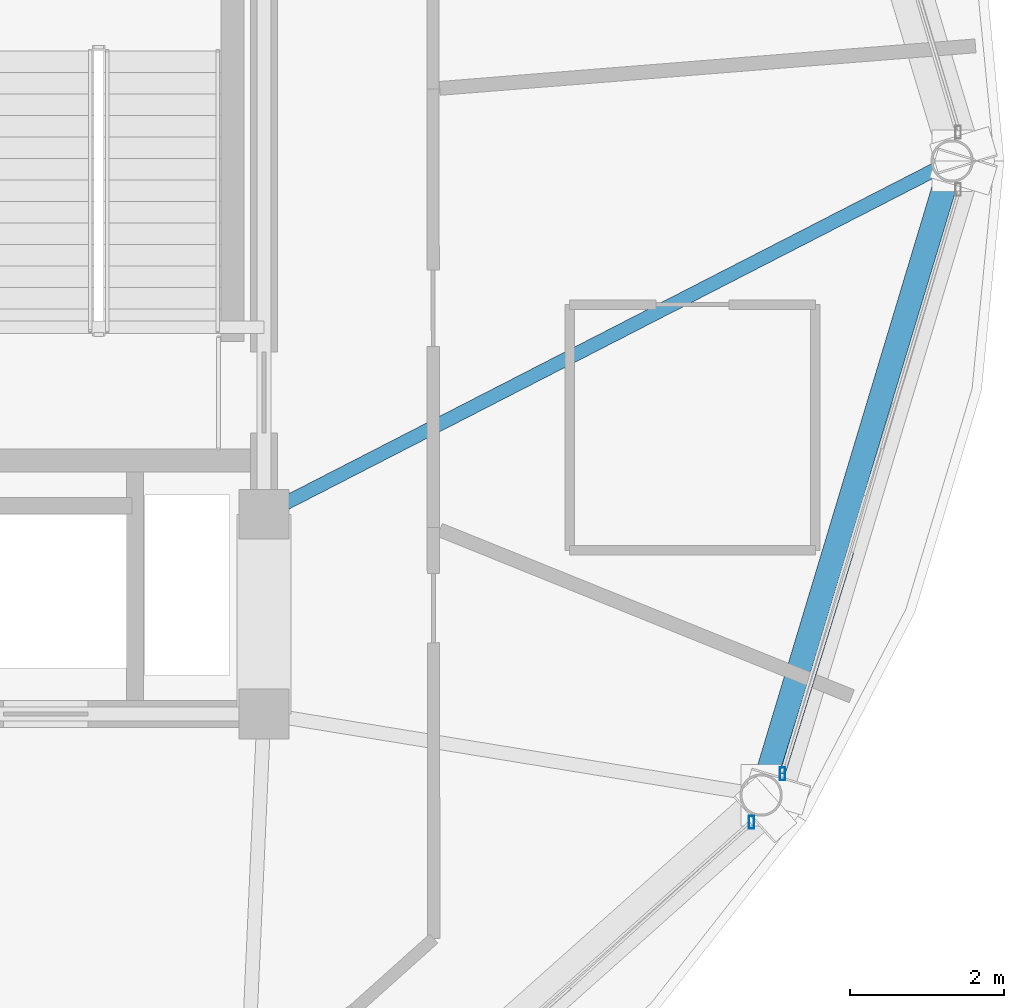
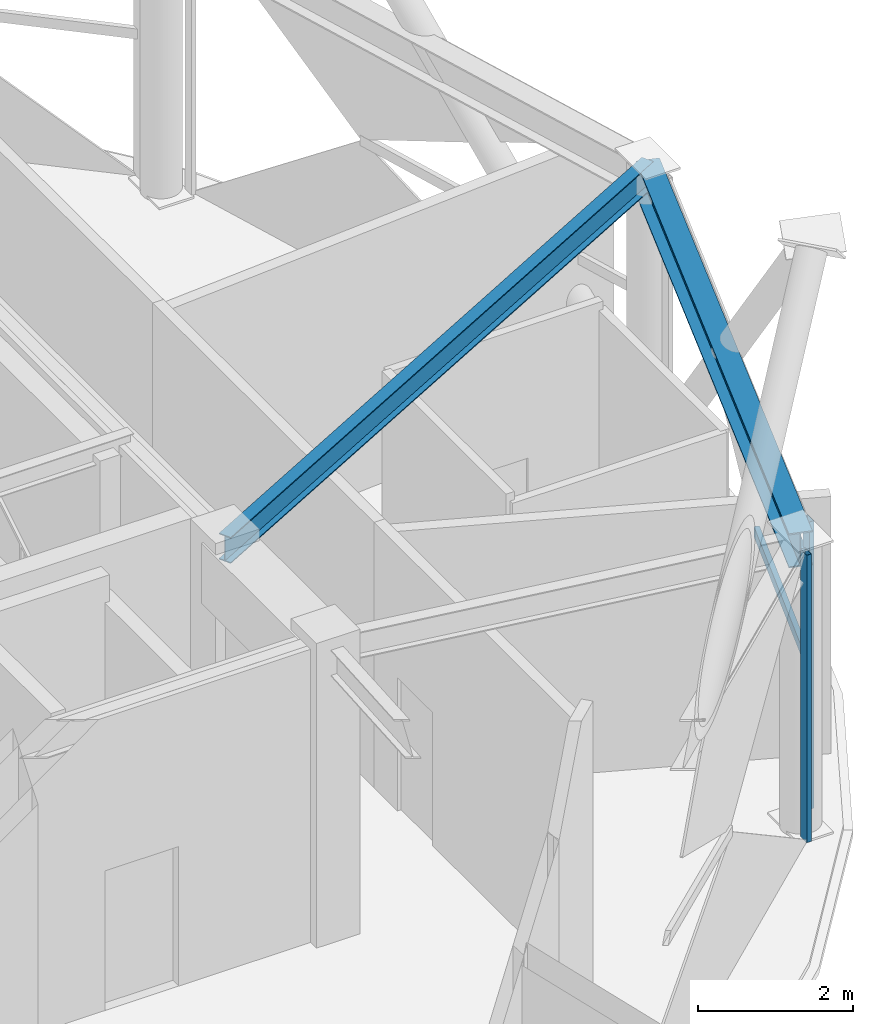
# One storey, part 14 of 27: 3 members, 2 beams, 2 elements without a shape of their own.
"""IFC4 building model written with IfcOpenShell, lengths in metres."""

from ifc_helpers import new_model, si_unit, direction, frame, origin, origin_2d, place, context, subcontext, project, spatial, hollow_rectangle, i_section, extrude, material, layer, layer_set, material_profile, profile_set, type_object, element, aggregate, save


model = new_model("IFC4")

# Units and contexts
model_context = context("Model", 3, precision=1e-05, world=origin(), true_north=direction((0.0, 1.0)))
body_context = subcontext(model_context, "Body", "Model", "MODEL_VIEW")
ifc_project = project(units=[si_unit("LENGTHUNIT", "METRE"), si_unit("AREAUNIT", "SQUARE_METRE"), si_unit("VOLUMEUNIT", "CUBIC_METRE"), si_unit("PLANEANGLEUNIT", "RADIAN"), si_unit("MASSUNIT", "GRAM", prefix="KILO")], contexts=[model_context])

# Site, building, storey
site_placement = place(None, origin())
site = spatial("IfcSite", under=ifc_project, at=site_placement, CompositionType="ELEMENT")
building_placement = place(site_placement, origin())
building = spatial("IfcBuilding", under=site, at=building_placement, Name="Vantalir Tower", CompositionType="ELEMENT")
storey_placement = place(building_placement, frame((0.0, 0.0, 290.10009765625)))
storey = spatial("IfcBuildingStorey", under=building, at=storey_placement, Name="L73", CompositionType="ELEMENT", Elevation=290.10009765625)

# Beams
ifc_material_1 = material(Name="Steel S355", Category="steel")
ifc_material_profile_1 = material_profile(ifc_material_1, i_section(OverallWidth=0.179931640625, OverallDepth=0.4130859375, WebThickness=0.009521484375, FlangeThickness=0.01611328125, at=origin_2d()), Name="Steel S355")
ifc_profile_set_1 = profile_set([ifc_material_profile_1], Name="Steel S355")
beam_type_1 = type_object("IfcBeamType", Name="BM-RB-406x178", PredefinedType="BEAM", material=ifc_profile_set_1)
beam_1_placement = place(storey_placement, frame((50.06005859375, 25.0, 4.413818359375), z_axis=(-0.8896058829, -0.456728993068, 0.0), x_axis=(0.456728993068, -0.8896058829, 0.0)))
element("IfcBeam", 1, at=beam_1_placement, inside=storey, type_object=beam_type_1, Name="L73 Radial Floor Beam 01", PredefinedType="BEAM", context=body_context, shape_type="SweptSolid", body=[
    extrude(i_section(OverallWidth=0.179931640625, OverallDepth=0.4130859375, WebThickness=0.009521484375, FlangeThickness=0.01611328125, at=origin_2d()), origin(), (0.0, 0.0, 1.0), 10.07177734375),
])
ifc_material_2 = material(Name="Steel S460", Category="steel")
ifc_material_profile_2 = material_profile(ifc_material_2, i_section(OverallWidth=0.31201171875, OverallDepth=0.5419921875, WebThickness=0.0126953125, FlangeThickness=0.020263671875, at=origin_2d()), Name="Steel S460")
ifc_profile_set_2 = profile_set([ifc_material_profile_2], Name="Steel S460")
beam_type_2 = type_object("IfcBeamType", Name="BM-RG-533x312", PredefinedType="USERDEFINED", material=ifc_profile_set_2)
beam_2_placement = place(storey_placement, frame((47.572998046875, 16.743896484375, 4.348876953125), z_axis=(0.288436105836, 0.957499145091, 0.0), x_axis=(-0.957499145091, 0.288436105836, 0.0)))
element("IfcBeam", 2, at=beam_2_placement, inside=storey, type_object=beam_type_2, Name="L73 Circumferential Ring Girder 12", ObjectType="GIRDER", PredefinedType="USERDEFINED", context=body_context, shape_type="SweptSolid", body=[
    extrude(i_section(OverallWidth=0.31201171875, OverallDepth=0.5419921875, WebThickness=0.0126953125, FlangeThickness=0.020263671875, at=origin_2d()), origin(), (0.0, 0.0, 1.0), 8.62255859375),
])

# Curtain wall, member
ifc_material_3 = material(Name="Champagne-silver PVDF aluminium and double-silver Low-E glass", Category="aluminium")
ifc_layer = layer(ifc_material_3, 0.219970703125)
ifc_layer_set = layer_set([ifc_layer], Name="Champagne-silver PVDF aluminium and double-silver Low-E glass")
curtain_wall_type = type_object("IfcCurtainWallType", Name="CW-DIAMOND-Z4", PredefinedType="USERDEFINED", material=ifc_layer_set)
curtain_wall_1_placement = place(storey_placement, origin())
curtain_wall_1 = element("IfcCurtainWall", 3, at=curtain_wall_1_placement, inside=storey, type_object=curtain_wall_type, Name="L73 Quilted Pyramid-Diamond Curtain Wall S11", ObjectType="UNITISED CURTAIN WALL", PredefinedType="USERDEFINED")
ifc_material_4 = material(Name="Champagne-silver PVDF aluminium 6063-T6", Category="aluminium")
ifc_material_profile_3 = material_profile(ifc_material_4, hollow_rectangle(XDim=0.070068359375, YDim=0.1650390625, WallThickness=0.00390625, at=origin_2d()), Name="Champagne-silver PVDF aluminium 6063-T6")
ifc_profile_set_3 = profile_set([ifc_material_profile_3], Name="Champagne-silver PVDF aluminium 6063-T6")
member_type_1 = type_object("IfcMemberType", Name="CWM-165x70", PredefinedType="MULLION", material=ifc_profile_set_3)
member_1_placement = place(storey_placement, frame((47.447021484375, 16.389892578125, 0.044921875), z_axis=(0.0, 0.0, 1.0), x_axis=(1.0, 0.0, 0.0)))
member_1 = element("IfcMember", 4, at=member_1_placement, type_object=member_type_1, Name="CW-L73-S11 Mullion 2", PredefinedType="MULLION", context=body_context, shape_type="SweptSolid", body=[
    extrude(hollow_rectangle(XDim=0.070068359375, YDim=0.1650390625, WallThickness=0.00390625, at=origin_2d()), origin(), (0.0, 0.0, 1.0), 4.530029296875),
])
aggregate(curtain_wall_1, [member_1])

# Curtain wall, members
curtain_wall_2_placement = place(storey_placement, origin())
curtain_wall_2 = element("IfcCurtainWall", 5, at=curtain_wall_2_placement, inside=storey, type_object=curtain_wall_type, Name="L73 Quilted Pyramid-Diamond Curtain Wall S12", ObjectType="UNITISED CURTAIN WALL", PredefinedType="USERDEFINED")
member_2_placement = place(storey_placement, frame((47.85009765625, 17.02197265625, 0.044921875), z_axis=(0.0, 0.0, 1.0), x_axis=(1.0, 0.0, 0.0)))
member_2 = element("IfcMember", 6, at=member_2_placement, type_object=member_type_1, Name="CW-L73-S12 Mullion 1", PredefinedType="MULLION", context=body_context, shape_type="SweptSolid", body=[
    extrude(hollow_rectangle(XDim=0.070068359375, YDim=0.1650390625, WallThickness=0.00390625, at=origin_2d()), origin(), (0.0, 0.0, 1.0), 4.530029296875),
])
ifc_material_profile_4 = material_profile(ifc_material_4, hollow_rectangle(XDim=0.074951171875, YDim=0.159912109375, WallThickness=0.00390625, at=origin_2d()), Name="Champagne-silver PVDF aluminium 6063-T6")
ifc_profile_set_4 = profile_set([ifc_material_profile_4], Name="Champagne-silver PVDF aluminium 6063-T6")
member_type_2 = type_object("IfcMemberType", Name="CWT-160x75", PredefinedType="USERDEFINED", material=ifc_profile_set_4)
member_3_placement = place(storey_placement, frame((47.85009765625, 17.02197265625, 2.309814453125), z_axis=(0.295819059863, 0.955243991775, 0.0), x_axis=(-0.955243991775, 0.295819059863, 0.0)))
member_3 = element("IfcMember", 7, at=member_3_placement, type_object=member_type_2, Name="CW-L73-S12 Pyramid Fold Ridge Transom", ObjectType="TRANSOM", PredefinedType="USERDEFINED", context=body_context, shape_type="SweptSolid", body=[
    extrude(hollow_rectangle(XDim=0.074951171875, YDim=0.159912109375, WallThickness=0.00390625, at=origin_2d()), origin(), (0.0, 0.0, 1.0), 3.01806640625),
])
aggregate(curtain_wall_2, [member_2, member_3])

save(model, "model.ifc")
